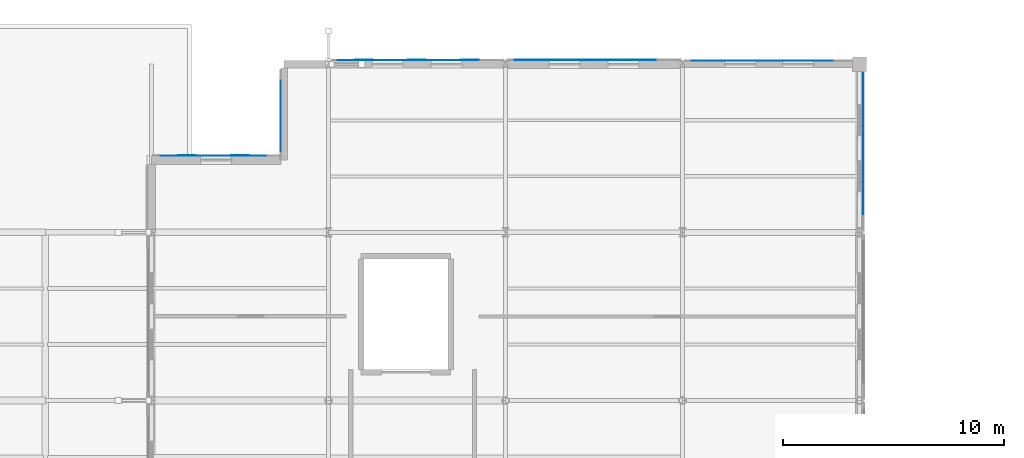
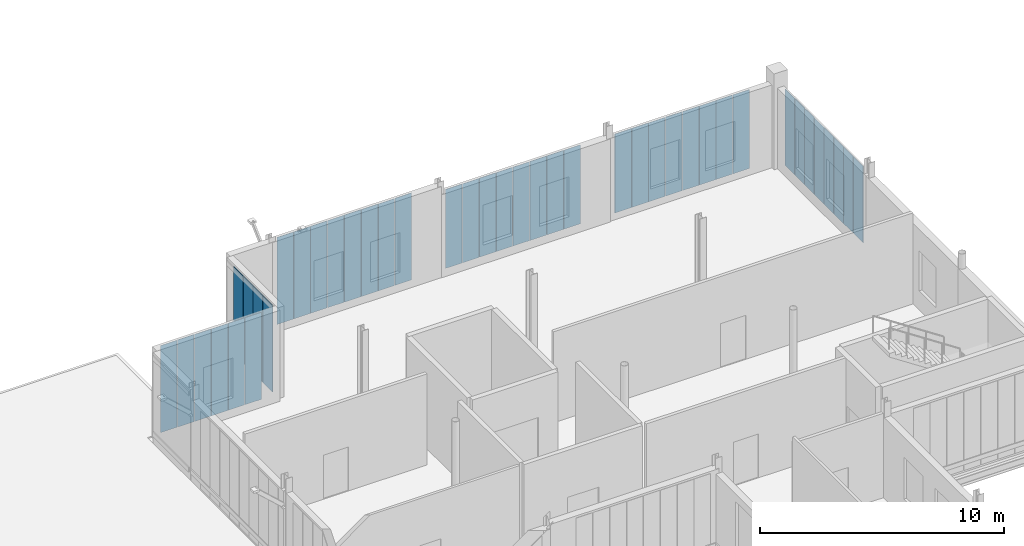
# One storey, part 86 of 120: 42 plates.
"""IFC4 building model written with IfcOpenShell, lengths in metres."""

from ifc_helpers import new_model, si_unit, direction, frame, origin, origin_2d, place, context, subcontext, project, spatial, rectangle, extrude, material, layer, layer_set, type_object, element, save


model = new_model("IFC4")

# Units and contexts
model_context = context("Model", 3, precision=1e-05, world=origin(), true_north=direction((0.0, 1.0)))
body_context = subcontext(model_context, "Body", "Model", "MODEL_VIEW")
ifc_project = project(units=[si_unit("LENGTHUNIT", "METRE"), si_unit("AREAUNIT", "SQUARE_METRE"), si_unit("VOLUMEUNIT", "CUBIC_METRE"), si_unit("PLANEANGLEUNIT", "RADIAN"), si_unit("MASSUNIT", "GRAM", prefix="KILO")], contexts=[model_context])

# Site, building, storey
site_placement = place(None, origin())
site = spatial("IfcSite", under=ifc_project, at=site_placement, CompositionType="ELEMENT")
building_placement = place(site_placement, origin())
building = spatial("IfcBuilding", under=site, at=building_placement, Name="Vekula Escarpment Museum", CompositionType="ELEMENT")
storey_placement = place(building_placement, frame((0.0, 0.0, 13.199951171875)))
storey = spatial("IfcBuildingStorey", under=building, at=storey_placement, Name="L03", CompositionType="ELEMENT", Elevation=13.199951171875)

# Plates
ifc_material_1 = material(Name="Bronze-anodized perforated aluminium screen", Category="aluminium")
ifc_layer_1 = layer(ifc_material_1, 0.011962890625)
ifc_layer_set_1 = layer_set([ifc_layer_1], Name="Bronze-anodized perforated aluminium screen")
plate_type_1 = type_object("IfcPlateType", Name="PL-SEBEKE-12", PredefinedType="USERDEFINED", material=ifc_layer_set_1)
for number, where, z_axis, x_axis, name in (
    (1, (56.1630859375, 135.199951171875, 0.10009765625), (0.0, 0.0, 1.0), (0.0, 1.0, 0.0), "Perforated Sebeke Solar Screen 0025"),
    (2, (56.1630859375, 132.800048828125, 0.10009765625), (0.0, 0.0, 1.0), (0.0, 1.0, 0.0), "Perforated Sebeke Solar Screen 0028"),
    (3, (56.1630859375, 130.39990234375, 0.10009765625), (0.0, 0.0, 1.0), (0.0, 1.0, 0.0), "Perforated Sebeke Solar Screen 0031"),
):
    element("IfcPlate", number, at=place(storey_placement, frame(where, z_axis=z_axis, x_axis=x_axis)), inside=storey, type_object=plate_type_1, Name=name, ObjectType="SOLAR SCREEN", PredefinedType="USERDEFINED", context=body_context, shape_type="SweptSolid", body=[
        extrude(rectangle(XDim=0.780029296875, YDim=0.011962890625, at=origin_2d()), origin(), (0.0, 0.0, 1.0), 3.844970703125),
    ])
for number, where, z_axis, x_axis, name in (
    (4, (50.39990234375, 136.153076171875, 0.10009765625), (0.0, 0.0, 1.0), (1.0, 0.0, 0.0), "Perforated Sebeke Solar Screen 0035"),
    (5, (52.800048828125, 136.153076171875, 0.10009765625), (0.0, 0.0, 1.0), (1.0, 0.0, 0.0), "Perforated Sebeke Solar Screen 0038"),
    (6, (41.60009765625, 136.193115234375, 0.10009765625), (0.0, 0.0, 1.0), (1.0, 0.0, 0.0), "Perforated Sebeke Solar Screen 0042"),
    (7, (44.0, 136.193115234375, 0.10009765625), (0.0, 0.0, 1.0), (1.0, 0.0, 0.0), "Perforated Sebeke Solar Screen 0045"),
    (8, (46.39990234375, 136.193115234375, 0.10009765625), (0.0, 0.0, 1.0), (1.0, 0.0, 0.0), "Perforated Sebeke Solar Screen 0048"),
):
    element("IfcPlate", number, at=place(storey_placement, frame(where, z_axis=z_axis, x_axis=x_axis)), inside=storey, type_object=plate_type_1, Name=name, ObjectType="SOLAR SCREEN", PredefinedType="USERDEFINED", context=body_context, shape_type="SweptSolid", body=[
        extrude(rectangle(XDim=0.780029296875, YDim=0.011962890625, at=origin_2d()), origin(), (0.0, 0.0, 1.0), 3.955078125),
    ])
for number, where, z_axis, x_axis, name in (
    (9, (32.800048828125, 136.177978515625, 0.10009765625), (0.0, 0.0, 1.0), (1.0, 0.0, 0.0), "Perforated Sebeke Solar Screen 0049"),
    (10, (35.199951171875, 136.177978515625, 0.10009765625), (0.0, 0.0, 1.0), (1.0, 0.0, 0.0), "Perforated Sebeke Solar Screen 0052"),
    (11, (37.60009765625, 136.177978515625, 0.10009765625), (0.0, 0.0, 1.0), (1.0, 0.0, 0.0), "Perforated Sebeke Solar Screen 0055"),
    (12, (29.846923828125, 134.068115234375, 0.10009765625), (0.0, 0.0, 1.0), (0.0, 1.0, 0.0), "Perforated Sebeke Solar Screen 0059"),
    (13, (24.800048828125, 131.861083984375, 0.10009765625), (0.0, 0.0, 1.0), (1.0, 0.0, 0.0), "Perforated Sebeke Solar Screen 0061"),
    (14, (27.199951171875, 131.861083984375, 0.10009765625), (0.0, 0.0, 1.0), (1.0, 0.0, 0.0), "Perforated Sebeke Solar Screen 0064"),
):
    element("IfcPlate", number, at=place(storey_placement, frame(where, z_axis=z_axis, x_axis=x_axis)), inside=storey, type_object=plate_type_1, Name=name, ObjectType="SOLAR SCREEN", PredefinedType="USERDEFINED", context=body_context, shape_type="SweptSolid", body=[
        extrude(rectangle(XDim=0.780029296875, YDim=0.011962890625, at=origin_2d()), origin(), (0.0, 0.0, 1.0), 4.360107421875),
    ])
ifc_material_2 = material(Name="Bronze-anodized perforated aluminium screen", Category="aluminium")
ifc_layer_2 = layer(ifc_material_2, 0.01806640625)
ifc_layer_set_2 = layer_set([ifc_layer_2], Name="Bronze-anodized perforated aluminium screen")
plate_type_2 = type_object("IfcPlateType", Name="PL-SEBEKE-18", PredefinedType="USERDEFINED", material=ifc_layer_set_2)
for number, where, z_axis, x_axis, name in (
    (15, (56.166015625, 133.60009765625, 0.10009765625), (0.0, 0.0, 1.0), (0.0, 1.0, 0.0), "Perforated Sebeke Solar Screen 0027"),
    (16, (56.166015625, 131.199951171875, 0.10009765625), (0.0, 0.0, 1.0), (0.0, 1.0, 0.0), "Perforated Sebeke Solar Screen 0030"),
):
    element("IfcPlate", number, at=place(storey_placement, frame(where, z_axis=z_axis, x_axis=x_axis)), inside=storey, type_object=plate_type_2, Name=name, ObjectType="SOLAR SCREEN", PredefinedType="USERDEFINED", context=body_context, shape_type="SweptSolid", body=[
        extrude(rectangle(XDim=0.780029296875, YDim=0.01806640625, at=origin_2d()), origin(), (0.0, 0.0, 1.0), 3.844970703125),
    ])
for number, where, z_axis, x_axis, name in (
    (17, (49.60009765625, 136.156005859375, 0.10009765625), (0.0, 0.0, 1.0), (1.0, 0.0, 0.0), "Perforated Sebeke Solar Screen 0034"),
    (18, (52.0, 136.156005859375, 0.10009765625), (0.0, 0.0, 1.0), (1.0, 0.0, 0.0), "Perforated Sebeke Solar Screen 0037"),
    (19, (54.39990234375, 136.156005859375, 0.10009765625), (0.0, 0.0, 1.0), (1.0, 0.0, 0.0), "Perforated Sebeke Solar Screen 0040"),
    (20, (40.800048828125, 136.196044921875, 0.10009765625), (0.0, 0.0, 1.0), (1.0, 0.0, 0.0), "Perforated Sebeke Solar Screen 0041"),
    (21, (43.199951171875, 136.196044921875, 0.10009765625), (0.0, 0.0, 1.0), (1.0, 0.0, 0.0), "Perforated Sebeke Solar Screen 0044"),
    (22, (45.60009765625, 136.196044921875, 0.10009765625), (0.0, 0.0, 1.0), (1.0, 0.0, 0.0), "Perforated Sebeke Solar Screen 0047"),
):
    element("IfcPlate", number, at=place(storey_placement, frame(where, z_axis=z_axis, x_axis=x_axis)), inside=storey, type_object=plate_type_2, Name=name, ObjectType="SOLAR SCREEN", PredefinedType="USERDEFINED", context=body_context, shape_type="SweptSolid", body=[
        extrude(rectangle(XDim=0.780029296875, YDim=0.01806640625, at=origin_2d()), origin(), (0.0, 0.0, 1.0), 3.955078125),
    ])
for number, where, z_axis, x_axis, name in (
    (23, (34.39990234375, 136.180908203125, 0.10009765625), (0.0, 0.0, 1.0), (1.0, 0.0, 0.0), "Perforated Sebeke Solar Screen 0051"),
    (24, (36.800048828125, 136.180908203125, 0.10009765625), (0.0, 0.0, 1.0), (1.0, 0.0, 0.0), "Perforated Sebeke Solar Screen 0054"),
    (25, (29.843994140625, 133.26806640625, 0.10009765625), (0.0, 0.0, 1.0), (0.0, 1.0, 0.0), "Perforated Sebeke Solar Screen 0058"),
    (26, (26.39990234375, 131.864013671875, 0.10009765625), (0.0, 0.0, 1.0), (1.0, 0.0, 0.0), "Perforated Sebeke Solar Screen 0063"),
    (27, (28.800048828125, 131.864013671875, 0.10009765625), (0.0, 0.0, 1.0), (1.0, 0.0, 0.0), "Perforated Sebeke Solar Screen 0066"),
):
    element("IfcPlate", number, at=place(storey_placement, frame(where, z_axis=z_axis, x_axis=x_axis)), inside=storey, type_object=plate_type_2, Name=name, ObjectType="SOLAR SCREEN", PredefinedType="USERDEFINED", context=body_context, shape_type="SweptSolid", body=[
        extrude(rectangle(XDim=0.780029296875, YDim=0.01806640625, at=origin_2d()), origin(), (0.0, 0.0, 1.0), 4.360107421875),
    ])
ifc_material_3 = material(Name="Bronze-anodized perforated aluminium screen", Category="aluminium")
ifc_layer_3 = layer(ifc_material_3, 0.02197265625)
ifc_layer_set_3 = layer_set([ifc_layer_3], Name="Bronze-anodized perforated aluminium screen")
plate_type_3 = type_object("IfcPlateType", Name="PL-SEBEKE-22", PredefinedType="USERDEFINED", material=ifc_layer_set_3)
for number, where, z_axis, x_axis, name in (
    (28, (56.16796875, 134.39990234375, 0.10009765625), (0.0, 0.0, 1.0), (0.0, 1.0, 0.0), "Perforated Sebeke Solar Screen 0026"),
    (29, (56.16796875, 132.0, 0.10009765625), (0.0, 0.0, 1.0), (0.0, 1.0, 0.0), "Perforated Sebeke Solar Screen 0029"),
    (30, (56.16796875, 129.60009765625, 0.10009765625), (0.0, 0.0, 1.0), (0.0, 1.0, 0.0), "Perforated Sebeke Solar Screen 0032"),
):
    element("IfcPlate", number, at=place(storey_placement, frame(where, z_axis=z_axis, x_axis=x_axis)), inside=storey, type_object=plate_type_3, Name=name, ObjectType="SOLAR SCREEN", PredefinedType="USERDEFINED", context=body_context, shape_type="SweptSolid", body=[
        extrude(rectangle(XDim=0.780029296875, YDim=0.02197265625, at=origin_2d()), origin(), (0.0, 0.0, 1.0), 3.844970703125),
    ])
for number, where, z_axis, x_axis, name in (
    (31, (48.800048828125, 136.157958984375, 0.10009765625), (0.0, 0.0, 1.0), (1.0, 0.0, 0.0), "Perforated Sebeke Solar Screen 0033"),
    (32, (51.199951171875, 136.157958984375, 0.10009765625), (0.0, 0.0, 1.0), (1.0, 0.0, 0.0), "Perforated Sebeke Solar Screen 0036"),
    (33, (53.60009765625, 136.157958984375, 0.10009765625), (0.0, 0.0, 1.0), (1.0, 0.0, 0.0), "Perforated Sebeke Solar Screen 0039"),
    (34, (42.39990234375, 136.197998046875, 0.10009765625), (0.0, 0.0, 1.0), (1.0, 0.0, 0.0), "Perforated Sebeke Solar Screen 0043"),
    (35, (44.800048828125, 136.197998046875, 0.10009765625), (0.0, 0.0, 1.0), (1.0, 0.0, 0.0), "Perforated Sebeke Solar Screen 0046"),
):
    element("IfcPlate", number, at=place(storey_placement, frame(where, z_axis=z_axis, x_axis=x_axis)), inside=storey, type_object=plate_type_3, Name=name, ObjectType="SOLAR SCREEN", PredefinedType="USERDEFINED", context=body_context, shape_type="SweptSolid", body=[
        extrude(rectangle(XDim=0.780029296875, YDim=0.02197265625, at=origin_2d()), origin(), (0.0, 0.0, 1.0), 3.955078125),
    ])
for number, where, z_axis, x_axis, name in (
    (36, (33.60009765625, 136.18310546875, 0.10009765625), (0.0, 0.0, 1.0), (1.0, 0.0, 0.0), "Perforated Sebeke Solar Screen 0050"),
    (37, (36.0, 136.18310546875, 0.10009765625), (0.0, 0.0, 1.0), (1.0, 0.0, 0.0), "Perforated Sebeke Solar Screen 0053"),
    (38, (38.39990234375, 136.18310546875, 0.10009765625), (0.0, 0.0, 1.0), (1.0, 0.0, 0.0), "Perforated Sebeke Solar Screen 0056"),
    (39, (29.842041015625, 132.468017578125, 0.10009765625), (0.0, 0.0, 1.0), (0.0, 1.0, 0.0), "Perforated Sebeke Solar Screen 0057"),
    (40, (29.842041015625, 134.867919921875, 0.10009765625), (0.0, 0.0, 1.0), (0.0, 1.0, 0.0), "Perforated Sebeke Solar Screen 0060"),
    (41, (25.60009765625, 131.865966796875, 0.10009765625), (0.0, 0.0, 1.0), (1.0, 0.0, 0.0), "Perforated Sebeke Solar Screen 0062"),
    (42, (28.0, 131.865966796875, 0.10009765625), (0.0, 0.0, 1.0), (1.0, 0.0, 0.0), "Perforated Sebeke Solar Screen 0065"),
):
    element("IfcPlate", number, at=place(storey_placement, frame(where, z_axis=z_axis, x_axis=x_axis)), inside=storey, type_object=plate_type_3, Name=name, ObjectType="SOLAR SCREEN", PredefinedType="USERDEFINED", context=body_context, shape_type="SweptSolid", body=[
        extrude(rectangle(XDim=0.780029296875, YDim=0.02197265625, at=origin_2d()), origin(), (0.0, 0.0, 1.0), 4.360107421875),
    ])

save(model, "model.ifc")
